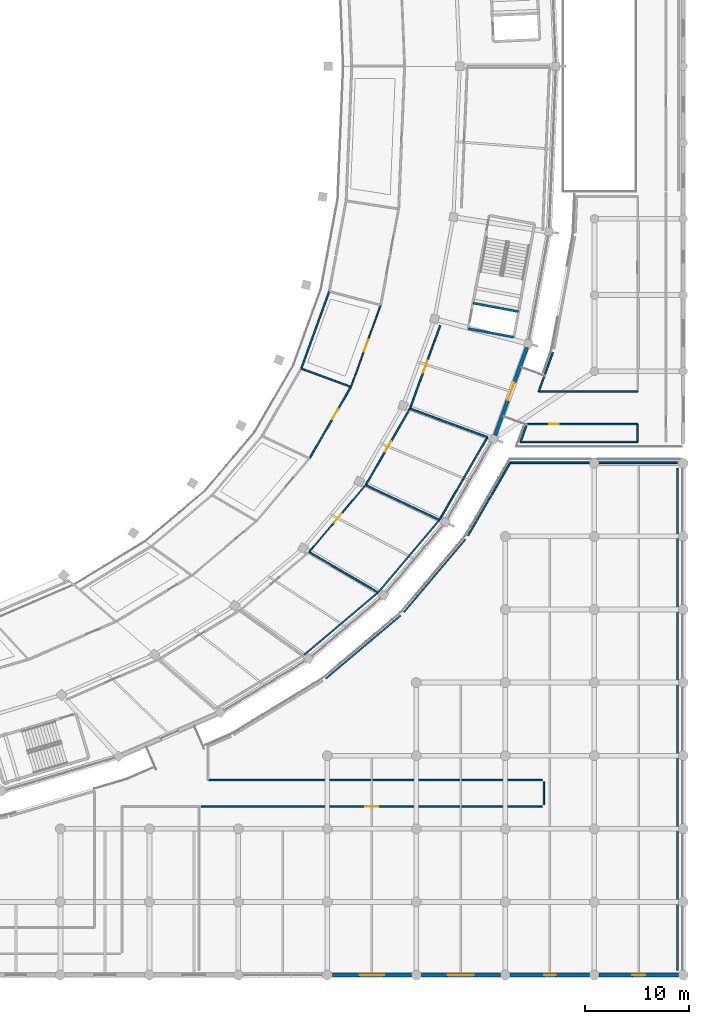
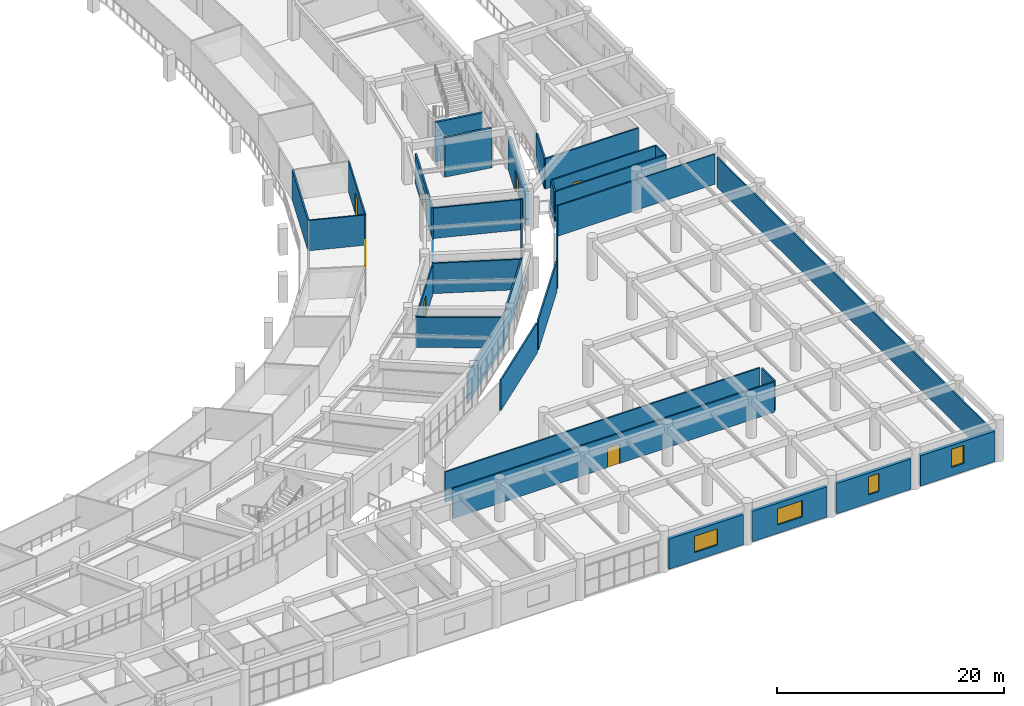
# One storey, part 99 of 141: 34 walls, 8 doors, 4 windows, 12 openings.
"""IFC4 building model written with IfcOpenShell, lengths in metres."""

from ifc_helpers import new_model, si_unit, direction, frame, frame_2d, origin, place, context, subcontext, project, spatial, rectangle, extrude, material, layer, layer_set, type_object, element, fill, save


model = new_model("IFC4")

# Units and contexts
model_context = context("Model", 3, precision=1e-05, world=origin(), true_north=direction((0.0, 1.0)))
body_context = subcontext(model_context, "Body", "Model", "MODEL_VIEW")
ifc_project = project(units=[si_unit("LENGTHUNIT", "METRE"), si_unit("AREAUNIT", "SQUARE_METRE"), si_unit("VOLUMEUNIT", "CUBIC_METRE"), si_unit("PLANEANGLEUNIT", "RADIAN"), si_unit("MASSUNIT", "GRAM", prefix="KILO")], contexts=[model_context])

# Site, building, storey
site_placement = place(None, origin())
site = spatial("IfcSite", under=ifc_project, at=site_placement, CompositionType="ELEMENT")
building_placement = place(site_placement, origin())
building = spatial("IfcBuilding", under=site, at=building_placement, Name="Mphavela Belvedere Stadium", CompositionType="ELEMENT")
storey_placement = place(building_placement, frame((0.0, 0.0, 14.699951171875)))
storey = spatial("IfcBuildingStorey", under=building, at=storey_placement, Name="L03", CompositionType="ELEMENT", Elevation=14.699951171875)

# Walls
ifc_material_1 = material(Name="Concrete C40/50", Category="concrete")
ifc_layer_1 = layer(ifc_material_1, 0.219970703125)
ifc_layer_set_1 = layer_set([ifc_layer_1], Name="Concrete C40/50")
wall_type_1 = type_object("IfcWallType", Name="WAL-CORE-SHEAR-220", PredefinedType="SHEAR", material=ifc_layer_set_1)
for number, where, z_axis, x_axis, name in (
    (1, (209.424072265625, 61.88525390625, 0.0), (0.0, 0.0, 1.0), (0.983189729951, -0.18258684213, 0.0), "Core C12 shear wall L03 right"),
    (2, (209.876708984375, 64.323486328125, 0.0), (0.0, 0.0, 1.0), (0.983201511677, -0.182523388739, 0.0), "Core C12 shear wall L03 div"),
):
    element("IfcWall", number, at=place(storey_placement, frame(where, z_axis=z_axis, x_axis=x_axis)), inside=storey, type_object=wall_type_1, Name=name, PredefinedType="SHEAR", context=body_context, shape_type="SweptSolid", body=[
        extrude(rectangle(XDim=4.409912109375, YDim=0.219970703125, at=frame_2d((2.205078125, 0.0))), origin(), (0.0, 0.0, 1.0), 4.25),
    ])

# Wall, opening, door
ifc_material_2 = material(Name="Honed ashlar limestone masonry", Category="masonry")
ifc_layer_2 = layer(ifc_material_2, 0.35009765625)
ifc_layer_set_2 = layer_set([ifc_layer_2], Name="Honed ashlar limestone masonry")
wall_type_2 = type_object("IfcWallType", Name="WAL-EXT-ASHLAR-350", PredefinedType="STANDARD", material=ifc_layer_set_2)
wall_1_placement = place(storey_placement, frame((215.037353515625, 60.0869140625, 0.0), z_axis=(0.0, 0.0, 1.0), x_axis=(-0.341014063491, -0.94005819421, 0.0)))
wall_1 = element("IfcWall", 3, at=wall_1_placement, inside=storey, type_object=wall_type_2, Name="Classical link portal wall L03-46", PredefinedType="STANDARD", context=body_context, shape_type="SweptSolid", body=[
    extrude(rectangle(XDim=8.95556640625, YDim=0.35009765625, at=frame_2d((4.477783203125, 0.0))), origin(), (0.0, 0.0, 1.0), 3.420166015625),
])
opening_1_placement = place(wall_1_placement, frame((3.57763671875, 0.0, 0.0)))
opening_1 = element("IfcOpeningElement", 4, at=opening_1_placement, cuts=wall_1, Name="Opening ID-9345", PredefinedType="OPENING", context=body_context, shape_type="SweptSolid", body=[
    extrude(rectangle(XDim=1.800048828125, YDim=2.39990234375, at=frame_2d((0.89990234375, 1.199951171875))), frame((0.0, 0.18505859375, 0.0), z_axis=(0.0, -1.0, 0.0), x_axis=(1.0, 0.0, 0.0)), (0.0, 0.0, 1.0), 0.3701171875),
])
ifc_material_3 = material(Name="Glazed bronze-anodised steel exit doorset", Category="steel")
door_type_1 = type_object("IfcDoorType", Name="DR-EXT-01", OperationType="NOTDEFINED", PredefinedType="DOOR", material=ifc_material_3)
door_1_placement = place(opening_1_placement, origin())
door_1 = element("IfcDoor", 5, at=door_1_placement, inside=storey, type_object=door_type_1, Name="Wing promenade link doorset L03-46", OperationType="DOUBLE_DOOR_SINGLE_SWING", OverallHeight=2.39990234375, OverallWidth=1.800048828125, PredefinedType="DOOR", context=body_context, shape_type="SweptSolid", body=[
    extrude(rectangle(XDim=1.800048828125, YDim=2.39990234375, at=frame_2d((0.89990234375, 1.199951171875))), frame((0.0, 0.02490234375, 0.0), z_axis=(0.0, -1.0, 0.0), x_axis=(1.0, 0.0, 0.0)), (0.0, 0.0, 1.0), 0.050048828125),
])
fill(opening_1, door_1)

# Wall, opening, window
wall_2_placement = place(storey_placement, frame((203.970947265625, 0.0, 0.0), z_axis=(0.0, 0.0, 1.0), x_axis=(-1.0, 0.0, 0.0)))
wall_2 = element("IfcWall", 6, at=wall_2_placement, inside=storey, type_object=wall_type_2, Name="South Axial Triumphal Peristyle Portico outer facade bay L03-24", PredefinedType="STANDARD", context=body_context, shape_type="SweptSolid", body=[
    extrude(rectangle(XDim=7.572021484375, YDim=0.35009765625, at=frame_2d((3.7861328125, 0.0))), origin(), (0.0, 0.0, 1.0), 3.260009765625),
])
opening_2_placement = place(wall_2_placement, frame((2.60595703125, 0.0, 0.89990234375)))
opening_2 = element("IfcOpeningElement", 7, at=opening_2_placement, cuts=wall_2, Name="Opening W-109", PredefinedType="OPENING", context=body_context, shape_type="SweptSolid", body=[
    extrude(rectangle(XDim=2.360107421875, YDim=1.75, at=frame_2d((1.18017578125, 0.875))), frame((0.0, 0.18505859375, 0.0), z_axis=(0.0, -1.0, 0.0), x_axis=(1.0, 0.0, 0.0)), (0.0, 0.0, 1.0), 0.3701171875),
])
ifc_material_4 = material(Name="Bronze-anodised thermally broken aluminium window", Category="aluminium")
window_type_1 = type_object("IfcWindowType", Name="WIN-EXT-21", PartitioningType="SINGLE_PANEL", PredefinedType="WINDOW", material=ifc_material_4)
window_1_placement = place(opening_2_placement, origin())
window_1 = element("IfcWindow", 8, at=window_1_placement, inside=storey, type_object=window_type_1, Name="South Axial Triumphal Peristyle Portico classical window W-109", OverallHeight=1.75, OverallWidth=2.360107421875, PartitioningType="SINGLE_PANEL", PredefinedType="WINDOW", context=body_context, shape_type="SweptSolid", body=[
    extrude(rectangle(XDim=2.360107421875, YDim=1.75, at=frame_2d((1.18017578125, 0.875))), frame((0.0, 0.030029296875, 0.0), z_axis=(0.0, -1.0, 0.0), x_axis=(1.0, 0.0, 0.0)), (0.0, 0.0, 1.0), 0.06005859375),
])
fill(opening_2, window_1)

wall_3_placement = place(storey_placement, frame((212.489990234375, 0.0, 0.0), z_axis=(0.0, 0.0, 1.0), x_axis=(-1.0, 0.0, 0.0)))
wall_3 = element("IfcWall", 9, at=wall_3_placement, inside=storey, type_object=wall_type_2, Name="South Axial Triumphal Peristyle Portico outer facade bay L03-25", PredefinedType="STANDARD", context=body_context, shape_type="SweptSolid", body=[
    extrude(rectangle(XDim=7.572998046875, YDim=0.35009765625, at=frame_2d((3.78662109375, 0.0))), origin(), (0.0, 0.0, 1.0), 3.260009765625),
])
opening_3_placement = place(wall_3_placement, frame((2.526611328125, 0.0, 0.89990234375)))
opening_3 = element("IfcOpeningElement", 10, at=opening_3_placement, cuts=wall_3, Name="Opening W-110", PredefinedType="OPENING", context=body_context, shape_type="SweptSolid", body=[
    extrude(rectangle(XDim=2.52001953125, YDim=1.75, at=frame_2d((1.260009765625, 0.875))), frame((0.0, 0.18505859375, 0.0), z_axis=(0.0, -1.0, 0.0), x_axis=(1.0, 0.0, 0.0)), (0.0, 0.0, 1.0), 0.3701171875),
])
ifc_material_5 = material(Name="Bronze-anodised thermally broken aluminium window", Category="aluminium")
window_type_2 = type_object("IfcWindowType", Name="WIN-EXT-22", PartitioningType="SINGLE_PANEL", PredefinedType="WINDOW", material=ifc_material_5)
window_2_placement = place(opening_3_placement, origin())
window_2 = element("IfcWindow", 11, at=window_2_placement, inside=storey, type_object=window_type_2, Name="South Axial Triumphal Peristyle Portico classical window W-110", OverallHeight=1.75, OverallWidth=2.52001953125, PartitioningType="SINGLE_PANEL", PredefinedType="WINDOW", context=body_context, shape_type="SweptSolid", body=[
    extrude(rectangle(XDim=2.52001953125, YDim=1.75, at=frame_2d((1.260009765625, 0.875))), frame((0.0, 0.030029296875, 0.0), z_axis=(0.0, -1.0, 0.0), x_axis=(1.0, 0.0, 0.0)), (0.0, 0.0, 1.0), 0.06005859375),
])
fill(opening_3, window_2)

wall_4_placement = place(storey_placement, frame((221.008056640625, 0.0, 0.0), z_axis=(0.0, 0.0, 1.0), x_axis=(-1.0, 0.0, 0.0)))
wall_4 = element("IfcWall", 12, at=wall_4_placement, inside=storey, type_object=wall_type_2, Name="South Axial Triumphal Peristyle Portico outer facade bay L03-26", PredefinedType="STANDARD", context=body_context, shape_type="SweptSolid", body=[
    extrude(rectangle(XDim=7.572021484375, YDim=0.35009765625, at=frame_2d((3.7861328125, 0.0))), origin(), (0.0, 0.0, 1.0), 3.260009765625),
])
opening_4_placement = place(wall_4_placement, frame((3.236083984375, 0.0, 0.89990234375)))
opening_4 = element("IfcOpeningElement", 13, at=opening_4_placement, cuts=wall_4, Name="Opening W-111", PredefinedType="OPENING", context=body_context, shape_type="SweptSolid", body=[
    extrude(rectangle(XDim=1.10009765625, YDim=1.949951171875, at=frame_2d((0.550048828125, 0.97509765625))), frame((0.0, 0.18505859375, 0.0), z_axis=(0.0, -1.0, 0.0), x_axis=(1.0, 0.0, 0.0)), (0.0, 0.0, 1.0), 0.3701171875),
])
ifc_material_6 = material(Name="Bronze-anodised thermally broken aluminium window", Category="aluminium")
window_type_3 = type_object("IfcWindowType", Name="WIN-EXT-23", PartitioningType="SINGLE_PANEL", PredefinedType="WINDOW", material=ifc_material_6)
window_3_placement = place(opening_4_placement, origin())
window_3 = element("IfcWindow", 14, at=window_3_placement, inside=storey, type_object=window_type_3, Name="South Axial Triumphal Peristyle Portico classical window W-111", OverallHeight=1.949951171875, OverallWidth=1.10009765625, PartitioningType="SINGLE_PANEL", PredefinedType="WINDOW", context=body_context, shape_type="SweptSolid", body=[
    extrude(rectangle(XDim=1.10009765625, YDim=1.949951171875, at=frame_2d((0.550048828125, 0.97509765625))), frame((0.0, 0.030029296875, 0.0), z_axis=(0.0, -1.0, 0.0), x_axis=(1.0, 0.0, 0.0)), (0.0, 0.0, 1.0), 0.06005859375),
])
fill(opening_4, window_3)

wall_5_placement = place(storey_placement, frame((229.527099609375, 0.0, 0.0), z_axis=(0.0, 0.0, 1.0), x_axis=(-1.0, 0.0, 0.0)))
wall_5 = element("IfcWall", 15, at=wall_5_placement, inside=storey, type_object=wall_type_2, Name="South Axial Triumphal Peristyle Portico outer facade bay L03-27", PredefinedType="STANDARD", context=body_context, shape_type="SweptSolid", body=[
    extrude(rectangle(XDim=7.572998046875, YDim=0.35009765625, at=frame_2d((3.78662109375, 0.0))), origin(), (0.0, 0.0, 1.0), 3.260009765625),
])
opening_5_placement = place(wall_5_placement, frame((3.16650390625, 0.0, 0.89990234375)))
opening_5 = element("IfcOpeningElement", 16, at=opening_5_placement, cuts=wall_5, Name="Opening W-112", PredefinedType="OPENING", context=body_context, shape_type="SweptSolid", body=[
    extrude(rectangle(XDim=1.239990234375, YDim=1.949951171875, at=frame_2d((0.6201171875, 0.97509765625))), frame((0.0, 0.18505859375, 0.0), z_axis=(0.0, -1.0, 0.0), x_axis=(1.0, 0.0, 0.0)), (0.0, 0.0, 1.0), 0.3701171875),
])
ifc_material_7 = material(Name="Bronze-anodised thermally broken aluminium window", Category="aluminium")
window_type_4 = type_object("IfcWindowType", Name="WIN-EXT-24", PartitioningType="SINGLE_PANEL", PredefinedType="WINDOW", material=ifc_material_7)
window_4_placement = place(opening_5_placement, origin())
window_4 = element("IfcWindow", 17, at=window_4_placement, inside=storey, type_object=window_type_4, Name="South Axial Triumphal Peristyle Portico classical window W-112", OverallHeight=1.949951171875, OverallWidth=1.239990234375, PartitioningType="SINGLE_PANEL", PredefinedType="WINDOW", context=body_context, shape_type="SweptSolid", body=[
    extrude(rectangle(XDim=1.239990234375, YDim=1.949951171875, at=frame_2d((0.6201171875, 0.97509765625))), frame((0.0, 0.030029296875, 0.0), z_axis=(0.0, -1.0, 0.0), x_axis=(1.0, 0.0, 0.0)), (0.0, 0.0, 1.0), 0.06005859375),
])
fill(opening_5, window_4)

# Wall, opening, door
ifc_material_8 = material(Name="Moisture-resistant sanitary partition assembly")
ifc_layer_3 = layer(ifc_material_8, 0.125)
ifc_layer_set_3 = layer_set([ifc_layer_3], Name="Moisture-resistant sanitary partition assembly")
wall_type_3 = type_object("IfcWallType", Name="WAL-PART-125", PredefinedType="PARTITIONING", material=ifc_layer_set_3)
wall_6_placement = place(storey_placement, frame((194.231689453125, 40.562255859375, 0.0), z_axis=(0.0, 0.0, 1.0), x_axis=(0.64516519871, 0.76404310505, 0.0)))
wall_6 = element("IfcWall", 18, at=wall_6_placement, inside=storey, type_object=wall_type_3, Name="Room L03-152 corridor partition", PredefinedType="PARTITIONING", context=body_context, shape_type="SweptSolid", body=[
    extrude(rectangle(XDim=8.3134765625, YDim=0.125, at=frame_2d((4.15673828125, 0.0))), origin(), (0.0, 0.0, 1.0), 3.25),
])
opening_6_placement = place(wall_6_placement, frame((3.606689453125, 0.0, 0.0)))
opening_6 = element("IfcOpeningElement", 19, at=opening_6_placement, cuts=wall_6, Name="Opening ID-318", PredefinedType="OPENING", context=body_context, shape_type="SweptSolid", body=[
    extrude(rectangle(XDim=1.10009765625, YDim=2.300048828125, at=frame_2d((0.550048828125, 1.14990234375))), frame((0.0, 0.072509765625, 0.0), z_axis=(0.0, -1.0, 0.0), x_axis=(1.0, 0.0, 0.0)), (0.0, 0.0, 1.0), 0.14501953125),
])
ifc_material_9 = material(Name="Hardwood acoustic timber doorset", Category="wood")
door_type_2 = type_object("IfcDoorType", Name="DR-INT-30", OperationType="NOTDEFINED", PredefinedType="DOOR", material=ifc_material_9)
door_2_placement = place(opening_6_placement, origin())
door_2 = element("IfcDoor", 20, at=door_2_placement, inside=storey, type_object=door_type_2, Name="Room L03-152 entrance door ID-318", OperationType="SINGLE_SWING_RIGHT", OverallHeight=2.300048828125, OverallWidth=1.10009765625, PredefinedType="DOOR", context=body_context, shape_type="SweptSolid", body=[
    extrude(rectangle(XDim=1.10009765625, YDim=2.300048828125, at=frame_2d((0.550048828125, 1.14990234375))), frame((0.0, 0.02490234375, 0.0), z_axis=(0.0, -1.0, 0.0), x_axis=(1.0, 0.0, 0.0)), (0.0, 0.0, 1.0), 0.050048828125),
])
fill(opening_6, door_2)

wall_7_placement = place(storey_placement, frame((201.032470703125, 64.143798828125, 0.0), z_axis=(0.0, 0.0, 1.0), x_axis=(-0.341044733968, -0.940047067669, 0.0)))
wall_7 = element("IfcWall", 21, at=wall_7_placement, inside=storey, type_object=wall_type_3, Name="Room L03-157 corridor partition", PredefinedType="PARTITIONING", context=body_context, shape_type="SweptSolid", body=[
    extrude(rectangle(XDim=8.25390625, YDim=0.125, at=frame_2d((4.126953125, 0.0))), origin(), (0.0, 0.0, 1.0), 3.25),
])
opening_7_placement = place(wall_7_placement, frame((3.516845703125, 0.0, 0.0)))
opening_7 = element("IfcOpeningElement", 22, at=opening_7_placement, cuts=wall_7, Name="Opening ID-321", PredefinedType="OPENING", context=body_context, shape_type="SweptSolid", body=[
    extrude(rectangle(XDim=1.219970703125, YDim=2.300048828125, at=frame_2d((0.60986328125, 1.14990234375))), frame((0.0, 0.072509765625, 0.0), z_axis=(0.0, -1.0, 0.0), x_axis=(1.0, 0.0, 0.0)), (0.0, 0.0, 1.0), 0.14501953125),
])
ifc_material_10 = material(Name="Hardwood acoustic timber doorset", Category="wood")
door_type_3 = type_object("IfcDoorType", Name="DR-INT-33", OperationType="NOTDEFINED", PredefinedType="DOOR", material=ifc_material_10)
door_3_placement = place(opening_7_placement, origin())
door_3 = element("IfcDoor", 23, at=door_3_placement, inside=storey, type_object=door_type_3, Name="Room L03-157 entrance door ID-321", OperationType="SINGLE_SWING_LEFT", OverallHeight=2.300048828125, OverallWidth=1.219970703125, PredefinedType="DOOR", context=body_context, shape_type="SweptSolid", body=[
    extrude(rectangle(XDim=1.219970703125, YDim=2.300048828125, at=frame_2d((0.60986328125, 1.14990234375))), frame((0.0, 0.02490234375, 0.0), z_axis=(0.0, -1.0, 0.0), x_axis=(1.0, 0.0, 0.0)), (0.0, 0.0, 1.0), 0.050048828125),
])
fill(opening_7, door_3)

ifc_material_11 = material(Name="Acoustic gypsum stud partition assembly")
ifc_layer_4 = layer(ifc_material_11, 0.14990234375)
ifc_layer_set_4 = layer_set([ifc_layer_4], Name="Acoustic gypsum stud partition assembly")
wall_type_4 = type_object("IfcWallType", Name="WAL-PART-150", PredefinedType="PARTITIONING", material=ifc_layer_set_4)
wall_8_placement = place(storey_placement, frame((198.18310546875, 56.312255859375, 0.0), z_axis=(0.0, 0.0, 1.0), x_axis=(-0.500584301803, -0.865687794063, 0.0)))
wall_8 = element("IfcWall", 24, at=wall_8_placement, inside=storey, type_object=wall_type_4, Name="Room L03-154 corridor partition", PredefinedType="PARTITIONING", context=body_context, shape_type="SweptSolid", body=[
    extrude(rectangle(XDim=7.8369140625, YDim=0.14990234375, at=frame_2d((3.91845703125, 0.0))), origin(), (0.0, 0.0, 1.0), 3.25),
])
opening_8_placement = place(wall_8_placement, frame((2.43994140625, 0.0, 0.0)))
opening_8 = element("IfcOpeningElement", 25, at=opening_8_placement, cuts=wall_8, Name="Opening ID-319", PredefinedType="OPENING", context=body_context, shape_type="SweptSolid", body=[
    extrude(rectangle(XDim=1.139892578125, YDim=2.300048828125, at=frame_2d((0.56982421875, 1.14990234375))), frame((0.0, 0.0849609375, 0.0), z_axis=(0.0, -1.0, 0.0), x_axis=(1.0, 0.0, 0.0)), (0.0, 0.0, 1.0), 0.169921875),
])
ifc_material_12 = material(Name="Hardwood acoustic timber doorset", Category="wood")
door_type_4 = type_object("IfcDoorType", Name="DR-INT-31", OperationType="NOTDEFINED", PredefinedType="DOOR", material=ifc_material_12)
door_4_placement = place(opening_8_placement, origin())
door_4 = element("IfcDoor", 26, at=door_4_placement, inside=storey, type_object=door_type_4, Name="Room L03-154 entrance door ID-319", OperationType="SINGLE_SWING_LEFT", OverallHeight=2.300048828125, OverallWidth=1.139892578125, PredefinedType="DOOR", context=body_context, shape_type="SweptSolid", body=[
    extrude(rectangle(XDim=1.139892578125, YDim=2.300048828125, at=frame_2d((0.56982421875, 1.14990234375))), frame((0.0, 0.02490234375, 0.0), z_axis=(0.0, -1.0, 0.0), x_axis=(1.0, 0.0, 0.0)), (0.0, 0.0, 1.0), 0.050048828125),
])
fill(opening_8, door_4)

wall_9_placement = place(storey_placement, frame((199.64111328125, 46.98095703125, 0.0), z_axis=(0.0, 0.0, 1.0), x_axis=(0.500559280672, 0.865702262059, 0.0)))
wall_9 = element("IfcWall", 27, at=wall_9_placement, inside=storey, type_object=wall_type_4, Name="Room L03-155 corridor partition", PredefinedType="PARTITIONING", context=body_context, shape_type="SweptSolid", body=[
    extrude(rectangle(XDim=8.37451171875, YDim=0.14990234375, at=frame_2d((4.187255859375, 0.0))), origin(), (0.0, 0.0, 1.0), 3.25),
])
opening_9_placement = place(wall_9_placement, frame((3.597412109375, 0.0, 0.0)))
opening_9 = element("IfcOpeningElement", 28, at=opening_9_placement, cuts=wall_9, Name="Opening ID-320", PredefinedType="OPENING", context=body_context, shape_type="SweptSolid", body=[
    extrude(rectangle(XDim=1.179931640625, YDim=2.300048828125, at=frame_2d((0.58984375, 1.14990234375))), frame((0.0, 0.0849609375, 0.0), z_axis=(0.0, -1.0, 0.0), x_axis=(1.0, 0.0, 0.0)), (0.0, 0.0, 1.0), 0.169921875),
])
ifc_material_13 = material(Name="Hardwood acoustic timber doorset", Category="wood")
door_type_5 = type_object("IfcDoorType", Name="DR-INT-32", OperationType="NOTDEFINED", PredefinedType="DOOR", material=ifc_material_13)
door_5_placement = place(opening_9_placement, origin())
door_5 = element("IfcDoor", 29, at=door_5_placement, inside=storey, type_object=door_type_5, Name="Room L03-155 entrance door ID-320", OperationType="SINGLE_SWING_RIGHT", OverallHeight=2.300048828125, OverallWidth=1.179931640625, PredefinedType="DOOR", context=body_context, shape_type="SweptSolid", body=[
    extrude(rectangle(XDim=1.179931640625, YDim=2.300048828125, at=frame_2d((0.58984375, 1.14990234375))), frame((0.0, 0.02490234375, 0.0), z_axis=(0.0, -1.0, 0.0), x_axis=(1.0, 0.0, 0.0)), (0.0, 0.0, 1.0), 0.050048828125),
])
fill(opening_9, door_5)

wall_10_placement = place(storey_placement, frame((203.866455078125, 54.3037109375, 0.0), z_axis=(0.0, 0.0, 1.0), x_axis=(0.341044550343, 0.940047134287, 0.0)))
wall_10 = element("IfcWall", 30, at=wall_10_placement, inside=storey, type_object=wall_type_4, Name="Room L03-158 corridor partition", PredefinedType="PARTITIONING", context=body_context, shape_type="SweptSolid", body=[
    extrude(rectangle(XDim=8.39208984375, YDim=0.14990234375, at=frame_2d((4.196044921875, 0.0))), origin(), (0.0, 0.0, 1.0), 3.25),
])
opening_10_placement = place(wall_10_placement, frame((3.56591796875, 0.0, 0.0)))
opening_10 = element("IfcOpeningElement", 31, at=opening_10_placement, cuts=wall_10, Name="Opening ID-322", PredefinedType="OPENING", context=body_context, shape_type="SweptSolid", body=[
    extrude(rectangle(XDim=1.260009765625, YDim=2.300048828125, at=frame_2d((0.6298828125, 1.14990234375))), frame((0.0, 0.0849609375, 0.0), z_axis=(0.0, -1.0, 0.0), x_axis=(1.0, 0.0, 0.0)), (0.0, 0.0, 1.0), 0.169921875),
])
ifc_material_14 = material(Name="Hardwood acoustic timber doorset", Category="wood")
door_type_6 = type_object("IfcDoorType", Name="DR-INT-34", OperationType="NOTDEFINED", PredefinedType="DOOR", material=ifc_material_14)
door_6_placement = place(opening_10_placement, origin())
door_6 = element("IfcDoor", 32, at=door_6_placement, inside=storey, type_object=door_type_6, Name="Room L03-158 entrance door ID-322", OperationType="SINGLE_SWING_RIGHT", OverallHeight=2.300048828125, OverallWidth=1.260009765625, PredefinedType="DOOR", context=body_context, shape_type="SweptSolid", body=[
    extrude(rectangle(XDim=1.260009765625, YDim=2.300048828125, at=frame_2d((0.6298828125, 1.14990234375))), frame((0.0, 0.02490234375, 0.0), z_axis=(0.0, -1.0, 0.0), x_axis=(1.0, 0.0, 0.0)), (0.0, 0.0, 1.0), 0.050048828125),
])
fill(opening_10, door_6)

wall_11_placement = place(storey_placement, frame((183.830078125, 16.139892578125, 0.0), z_axis=(0.0, 0.0, 1.0), x_axis=(1.0, 0.0, 0.0)))
wall_11 = element("IfcWall", 33, at=wall_11_placement, inside=storey, type_object=wall_type_4, Name="Room L03-170 corridor partition", PredefinedType="PARTITIONING", context=body_context, shape_type="SweptSolid", body=[
    extrude(rectangle(XDim=32.669921875, YDim=0.14990234375, at=frame_2d((16.3349609375, 0.0))), origin(), (0.0, 0.0, 1.0), 3.25),
])
opening_11_placement = place(wall_11_placement, frame((15.705078125, 0.0, 0.0)))
opening_11 = element("IfcOpeningElement", 34, at=opening_11_placement, cuts=wall_11, Name="Opening ID-406", PredefinedType="OPENING", context=body_context, shape_type="SweptSolid", body=[
    extrude(rectangle(XDim=1.260009765625, YDim=2.10009765625, at=frame_2d((0.6298828125, 1.050048828125))), frame((0.0, 0.0849609375, 0.0), z_axis=(0.0, -1.0, 0.0), x_axis=(1.0, 0.0, 0.0)), (0.0, 0.0, 1.0), 0.169921875),
])
ifc_material_15 = material(Name="Hardwood acoustic timber doorset", Category="wood")
door_type_7 = type_object("IfcDoorType", Name="DR-INT-10", OperationType="NOTDEFINED", PredefinedType="DOOR", material=ifc_material_15)
door_7_placement = place(opening_11_placement, origin())
door_7 = element("IfcDoor", 35, at=door_7_placement, inside=storey, type_object=door_type_7, Name="Room L03-170 entrance door ID-406", OperationType="SINGLE_SWING_RIGHT", OverallHeight=2.10009765625, OverallWidth=1.260009765625, PredefinedType="DOOR", context=body_context, shape_type="SweptSolid", body=[
    extrude(rectangle(XDim=1.260009765625, YDim=2.10009765625, at=frame_2d((0.6298828125, 1.050048828125))), frame((0.0, 0.02490234375, 0.0), z_axis=(0.0, -1.0, 0.0), x_axis=(1.0, 0.0, 0.0)), (0.0, 0.0, 1.0), 0.050048828125),
])
fill(opening_11, door_7)

wall_12_placement = place(storey_placement, frame((215.031494140625, 52.739990234375, 0.0), z_axis=(0.0, 0.0, 1.0), x_axis=(1.0, 0.0, 0.0)))
wall_12 = element("IfcWall", 36, at=wall_12_placement, inside=storey, type_object=wall_type_4, Name="Room L03-201 corridor partition", PredefinedType="PARTITIONING", context=body_context, shape_type="SweptSolid", body=[
    extrude(rectangle(XDim=10.6083984375, YDim=0.14990234375, at=frame_2d((5.30419921875, 0.0))), origin(), (0.0, 0.0, 1.0), 3.25),
])
opening_12_placement = place(wall_12_placement, frame((2.125732421875, 0.0, 0.0)))
opening_12 = element("IfcOpeningElement", 37, at=opening_12_placement, cuts=wall_12, Name="Opening ID-554", PredefinedType="OPENING", context=body_context, shape_type="SweptSolid", body=[
    extrude(rectangle(XDim=0.93994140625, YDim=2.199951171875, at=frame_2d((0.469970703125, 1.10009765625))), frame((0.0, 0.0849609375, 0.0), z_axis=(0.0, -1.0, 0.0), x_axis=(1.0, 0.0, 0.0)), (0.0, 0.0, 1.0), 0.169921875),
])
ifc_material_16 = material(Name="Hardwood acoustic timber doorset", Category="wood")
door_type_8 = type_object("IfcDoorType", Name="DR-INT-14", OperationType="NOTDEFINED", PredefinedType="DOOR", material=ifc_material_16)
door_8_placement = place(opening_12_placement, origin())
door_8 = element("IfcDoor", 38, at=door_8_placement, inside=storey, type_object=door_type_8, Name="Room L03-201 entrance door ID-554", OperationType="SINGLE_SWING_RIGHT", OverallHeight=2.199951171875, OverallWidth=0.93994140625, PredefinedType="DOOR", context=body_context, shape_type="SweptSolid", body=[
    extrude(rectangle(XDim=0.93994140625, YDim=2.199951171875, at=frame_2d((0.469970703125, 1.10009765625))), frame((0.0, 0.02490234375, 0.0), z_axis=(0.0, -1.0, 0.0), x_axis=(1.0, 0.0, 0.0)), (0.0, 0.0, 1.0), 0.050048828125),
])
fill(opening_12, door_8)

# Walls
wall_13_placement = place(storey_placement, frame((194.1748046875, 40.5029296875, 0.0), z_axis=(0.0, 0.0, 1.0), x_axis=(0.862503200943, -0.506051606422, 0.0)))
element("IfcWall", 39, at=wall_13_placement, inside=storey, type_object=wall_type_4, Name="Room divider partition L03-0569", PredefinedType="PARTITIONING", context=body_context, shape_type="SweptSolid", body=[
    extrude(rectangle(XDim=7.65869140625, YDim=0.14990234375, at=frame_2d((3.829345703125, 0.0))), origin(), (0.0, 0.0, 1.0), 3.25),
])
wall_14_placement = place(storey_placement, frame((200.780517578125, 36.627197265625, 0.0), z_axis=(0.0, 0.0, 1.0), x_axis=(-0.764252893528, -0.644916672706, 0.0)))
element("IfcWall", 40, at=wall_14_placement, inside=storey, type_object=wall_type_4, Name="Room divider partition L03-0570", PredefinedType="PARTITIONING", context=body_context, shape_type="SweptSolid", body=[
    extrude(rectangle(XDim=9.25732421875, YDim=0.14990234375, at=frame_2d((4.628662109375, 0.0))), origin(), (0.0, 0.0, 1.0), 3.25),
])
wall_15_placement = place(storey_placement, frame((199.59521484375, 46.9140625, 0.0), z_axis=(0.0, 0.0, 1.0), x_axis=(0.903857436248, -0.427833770218, 0.0)))
element("IfcWall", 41, at=wall_15_placement, inside=storey, type_object=wall_type_4, Name="Room divider partition L03-0573", PredefinedType="PARTITIONING", context=body_context, shape_type="SweptSolid", body=[
    extrude(rectangle(XDim=7.81201171875, YDim=0.14990234375, at=frame_2d((3.906005859375, 0.0))), origin(), (0.0, 0.0, 1.0), 3.25),
])
wall_16_placement = place(storey_placement, frame((206.65625, 43.57177734375, 0.0), z_axis=(0.0, 0.0, 1.0), x_axis=(-0.645166061073, -0.764042376861, 0.0)))
element("IfcWall", 42, at=wall_16_placement, inside=storey, type_object=wall_type_4, Name="Room divider partition L03-0574", PredefinedType="PARTITIONING", context=body_context, shape_type="SweptSolid", body=[
    extrude(rectangle(XDim=9.013916015625, YDim=0.14990234375, at=frame_2d((4.5068359375, 0.0))), origin(), (0.0, 0.0, 1.0), 3.25),
])
wall_17_placement = place(storey_placement, frame((193.41650390625, 58.068359375, 0.0), z_axis=(0.0, 0.0, 1.0), x_axis=(0.938343937369, -0.345703131607, 0.0)))
element("IfcWall", 43, at=wall_17_placement, inside=storey, type_object=wall_type_4, Name="Room divider partition L03-0576", PredefinedType="PARTITIONING", context=body_context, shape_type="SweptSolid", body=[
    extrude(rectangle(XDim=5.079833984375, YDim=0.14990234375, at=frame_2d((2.5400390625, 0.0))), origin(), (0.0, 0.0, 1.0), 3.25),
])
wall_18_placement = place(storey_placement, frame((203.8330078125, 54.230712890625, 0.0), z_axis=(0.0, 0.0, 1.0), x_axis=(0.938352081903, -0.34568102405, 0.0)))
element("IfcWall", 44, at=wall_18_placement, inside=storey, type_object=wall_type_4, Name="Room divider partition L03-0577", PredefinedType="PARTITIONING", context=body_context, shape_type="SweptSolid", body=[
    extrude(rectangle(XDim=7.90380859375, YDim=0.14990234375, at=frame_2d((3.951904296875, 0.0))), origin(), (0.0, 0.0, 1.0), 3.25),
])
wall_19_placement = place(storey_placement, frame((211.24951171875, 51.49853515625, 0.0), z_axis=(0.0, 0.0, 1.0), x_axis=(-0.500574107164, -0.865693689036, 0.0)))
element("IfcWall", 45, at=wall_19_placement, inside=storey, type_object=wall_type_4, Name="Room divider partition L03-0578", PredefinedType="PARTITIONING", context=body_context, shape_type="SweptSolid", body=[
    extrude(rectangle(XDim=9.080322265625, YDim=0.14990234375, at=frame_2d((4.5400390625, 0.0))), origin(), (0.0, 0.0, 1.0), 3.25),
])
wall_20_placement = place(storey_placement, frame((193.44970703125, 58.141357421875, 0.0), z_axis=(0.0, 0.0, 1.0), x_axis=(0.341049747433, 0.940045248792, 0.0)))
element("IfcWall", 46, at=wall_20_placement, inside=storey, type_object=wall_type_4, Name="Room divider partition L03-0579", PredefinedType="PARTITIONING", context=body_context, shape_type="SweptSolid", body=[
    extrude(rectangle(XDim=7.7763671875, YDim=0.14990234375, at=frame_2d((3.88818359375, 0.0))), origin(), (0.0, 0.0, 1.0), 3.25),
])
wall_21_placement = place(storey_placement, frame((216.659912109375, 16.300048828125, 0.0), z_axis=(0.0, 0.0, 1.0), x_axis=(-0.000330578494, 0.999999945359, 0.0)))
element("IfcWall", 47, at=wall_21_placement, inside=storey, type_object=wall_type_4, Name="Room divider partition L03-0810", PredefinedType="PARTITIONING", context=body_context, shape_type="SweptSolid", body=[
    extrude(rectangle(XDim=2.215576171875, YDim=0.14990234375, at=frame_2d((1.10791015625, 0.0))), origin(), (0.0, 0.0, 1.0), 3.25),
])
wall_22_placement = place(storey_placement, frame((216.515625, 18.6591796875, 0.0), z_axis=(0.0, 0.0, 1.0), x_axis=(-0.999999999738, 2.2884168e-05, 0.0)))
element("IfcWall", 48, at=wall_22_placement, inside=storey, type_object=wall_type_4, Name="Room divider partition L03-0811", PredefinedType="PARTITIONING", context=body_context, shape_type="SweptSolid", body=[
    extrude(rectangle(XDim=32.005615234375, YDim=0.14990234375, at=frame_2d((16.0029296875, 0.0))), origin(), (0.0, 0.0, 1.0), 3.25),
])
wall_23_placement = place(storey_placement, frame((195.767822265625, 28.374755859375, 0.0), z_axis=(0.0, 0.0, 1.0), x_axis=(0.76426547638, 0.644901761212, 0.0)))
element("IfcWall", 49, at=wall_23_placement, inside=storey, type_object=wall_type_4, Name="Room divider partition L03-0815", PredefinedType="PARTITIONING", context=body_context, shape_type="SweptSolid", body=[
    extrude(rectangle(XDim=9.3984375, YDim=0.14990234375, at=frame_2d((4.69921875, 0.0))), origin(), (0.0, 0.0, 1.0), 3.25),
])
wall_24_placement = place(storey_placement, frame((203.248291015625, 34.733642578125, 0.0), z_axis=(0.0, 0.0, 1.0), x_axis=(0.645180125691, 0.764030500316, 0.0)))
element("IfcWall", 50, at=wall_24_placement, inside=storey, type_object=wall_type_4, Name="Room divider partition L03-0816", PredefinedType="PARTITIONING", context=body_context, shape_type="SweptSolid", body=[
    extrude(rectangle(XDim=9.1513671875, YDim=0.14990234375, at=frame_2d((4.57568359375, 0.0))), origin(), (0.0, 0.0, 1.0), 3.25),
])
wall_25_placement = place(storey_placement, frame((209.40673828125, 42.087158203125, 0.0), z_axis=(0.0, 0.0, 1.0), x_axis=(0.500545605998, 0.865710168773, 0.0)))
element("IfcWall", 51, at=wall_25_placement, inside=storey, type_object=wall_type_4, Name="Room divider partition L03-0817", PredefinedType="PARTITIONING", context=body_context, shape_type="SweptSolid", body=[
    extrude(rectangle(XDim=8.04296875, YDim=0.14990234375, at=frame_2d((4.021484375, 0.0))), origin(), (0.0, 0.0, 1.0), 3.25),
])
wall_26_placement = place(storey_placement, frame((213.4326171875, 49.050048828125, 0.0), z_axis=(0.0, 0.0, 1.0), x_axis=(1.0, 0.0, 0.0)))
element("IfcWall", 52, at=wall_26_placement, inside=storey, type_object=wall_type_4, Name="Room divider partition L03-0818", PredefinedType="PARTITIONING", context=body_context, shape_type="SweptSolid", body=[
    extrude(rectangle(XDim=16.017333984375, YDim=0.14990234375, at=frame_2d((8.0087890625, 0.0))), origin(), (0.0, 0.0, 1.0), 3.25),
])
wall_27_placement = place(storey_placement, frame((229.449951171875, 48.5, 0.0), z_axis=(0.0, 0.0, 1.0), x_axis=(0.0, -1.0, 0.0)))
element("IfcWall", 53, at=wall_27_placement, inside=storey, type_object=wall_type_4, Name="Room divider partition L03-0819", PredefinedType="PARTITIONING", context=body_context, shape_type="SweptSolid", body=[
    extrude(rectangle(XDim=48.050048828125, YDim=0.14990234375, at=frame_2d((24.02490234375, 0.0))), origin(), (0.0, 0.0, 1.0), 3.25),
])
wall_28_placement = place(storey_placement, frame((225.639892578125, 51.050048828125, 0.0), z_axis=(0.0, 0.0, 1.0), x_axis=(-1.0, 0.0, 0.0)))
element("IfcWall", 54, at=wall_28_placement, inside=storey, type_object=wall_type_4, Name="Room divider partition L03-1268", PredefinedType="PARTITIONING", context=body_context, shape_type="SweptSolid", body=[
    extrude(rectangle(XDim=11.221435546875, YDim=0.14990234375, at=frame_2d((5.61083984375, 0.0))), origin(), (0.0, 0.0, 1.0), 3.25),
])
wall_29_placement = place(storey_placement, frame((214.41845703125, 51.050048828125, 0.0), z_axis=(0.0, 0.0, 1.0), x_axis=(0.341012375502, 0.940058806541, 0.0)))
element("IfcWall", 55, at=wall_29_placement, inside=storey, type_object=wall_type_4, Name="Room divider partition L03-1269", PredefinedType="PARTITIONING", context=body_context, shape_type="SweptSolid", body=[
    extrude(rectangle(XDim=1.797607421875, YDim=0.14990234375, at=frame_2d((0.89892578125, 0.0))), origin(), (0.0, 0.0, 1.0), 3.25),
])
wall_30_placement = place(storey_placement, frame((225.639892578125, 52.739990234375, 0.0), z_axis=(0.0, 0.0, 1.0), x_axis=(0.0, -1.0, 0.0)))
element("IfcWall", 56, at=wall_30_placement, inside=storey, type_object=wall_type_4, Name="Room divider partition L03-1270", PredefinedType="PARTITIONING", context=body_context, shape_type="SweptSolid", body=[
    extrude(rectangle(XDim=1.68994140625, YDim=0.14990234375, at=frame_2d((0.844970703125, 0.0))), origin(), (0.0, 0.0, 1.0), 3.25),
])
wall_31_placement = place(storey_placement, frame((225.639892578125, 55.860107421875, 0.0), z_axis=(0.0, 0.0, 1.0), x_axis=(-1.0, 0.0, 0.0)))
element("IfcWall", 57, at=wall_31_placement, inside=storey, type_object=wall_type_4, Name="Room divider partition L03-1275", PredefinedType="PARTITIONING", context=body_context, shape_type="SweptSolid", body=[
    extrude(rectangle(XDim=9.4765625, YDim=0.14990234375, at=frame_2d((4.73828125, 0.0))), origin(), (0.0, 0.0, 1.0), 3.25),
])
wall_32_placement = place(storey_placement, frame((216.163330078125, 55.860107421875, 0.0), z_axis=(0.0, 0.0, 1.0), x_axis=(0.341035525383, 0.94005040845, 0.0)))
element("IfcWall", 58, at=wall_32_placement, inside=storey, type_object=wall_type_4, Name="Room divider partition L03-1276", PredefinedType="PARTITIONING", context=body_context, shape_type="SweptSolid", body=[
    extrude(rectangle(XDim=3.96240234375, YDim=0.14990234375, at=frame_2d((1.981201171875, 0.0))), origin(), (0.0, 0.0, 1.0), 3.25),
])

save(model, "model.ifc")
